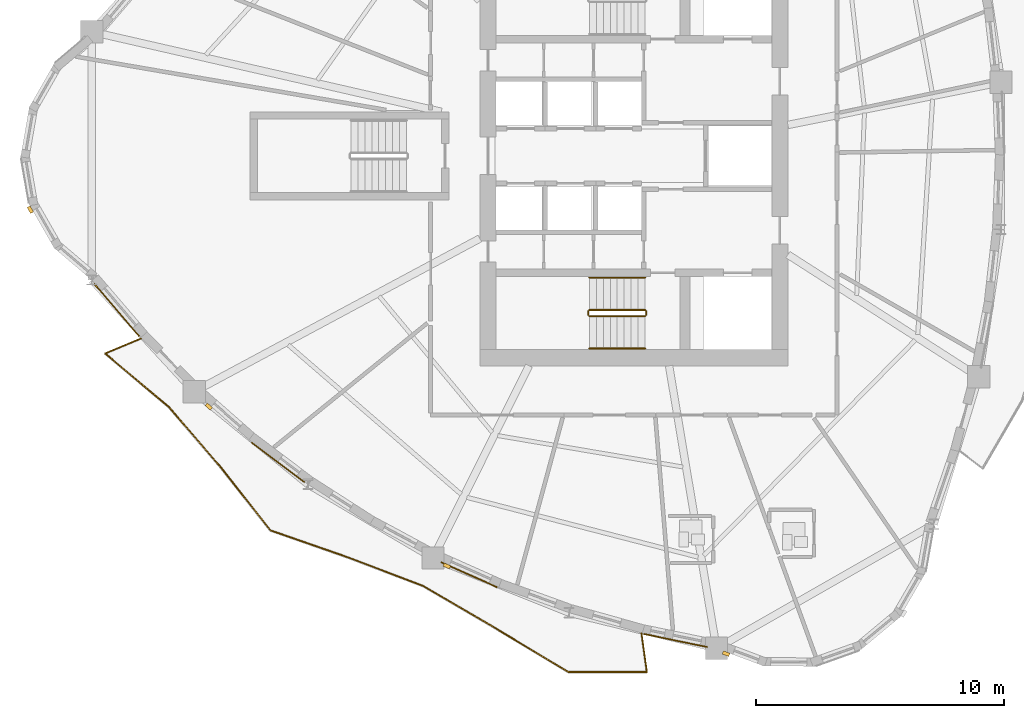
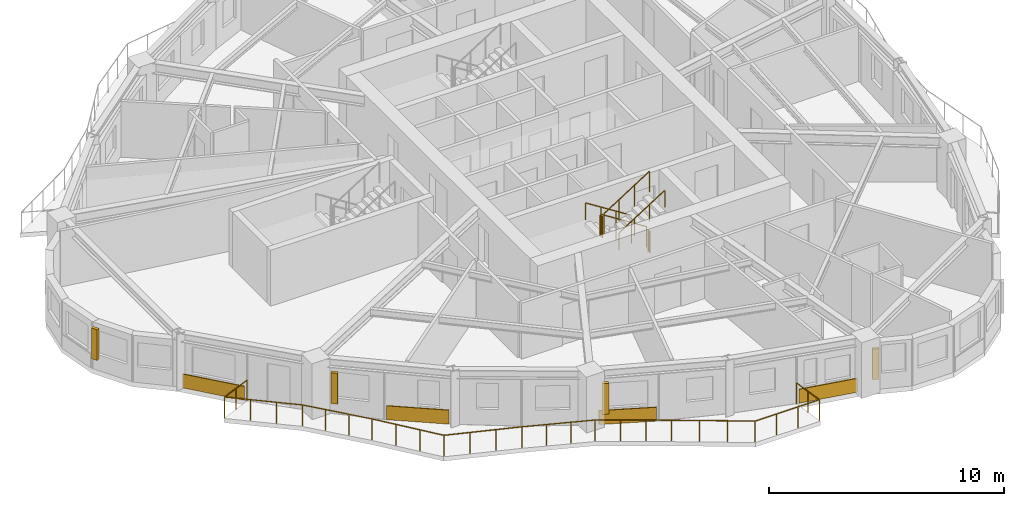
# One storey, part 9 of 12: 7 railings, 4 coverings, 4 shading devices.
"""IFC4 building model written with IfcOpenShell, lengths in metres."""

from ifc_helpers import new_model, si_unit, direction, frame, origin, origin_2d, place, context, subcontext, project, spatial, rectangle, circle, extrude, source, transform, mapped, material, layer, layer_set, type_object, element, save


model = new_model("IFC4")

# Units and contexts
model_context = context("Model", 3, precision=1e-05, world=origin(), true_north=direction((0.0, 1.0)))
body_context = subcontext(model_context, "Body", "Model", "MODEL_VIEW")
ifc_project = project(units=[si_unit("LENGTHUNIT", "METRE"), si_unit("AREAUNIT", "SQUARE_METRE"), si_unit("VOLUMEUNIT", "CUBIC_METRE"), si_unit("PLANEANGLEUNIT", "RADIAN"), si_unit("MASSUNIT", "GRAM", prefix="KILO")], contexts=[model_context])

# Site, building, storey
site_placement = place(None, origin())
site = spatial("IfcSite", under=ifc_project, at=site_placement, CompositionType="ELEMENT")
building_placement = place(site_placement, origin())
building = spatial("IfcBuilding", under=site, at=building_placement, Name="Qafzar Sky-Pleat Residences", CompositionType="ELEMENT")
storey_placement = place(building_placement, frame((0.0, 0.0, 124.800048828125)))
storey = spatial("IfcBuildingStorey", under=building, at=storey_placement, Name="L37", CompositionType="ELEMENT", Elevation=124.800048828125)

# Shading devices
ifc_material_1 = material(Name="Honed Riyadh limestone solar fin", Category="masonry")
ifc_layer_1 = layer(ifc_material_1, 0.139892578125)
ifc_layer_set_1 = layer_set([ifc_layer_1], Name="Honed Riyadh limestone solar fin")
shading_device_type = type_object("IfcShadingDeviceType", Name="SHD-FIN-STONE", PredefinedType="SHUTTER", material=ifc_layer_set_1)
shared_shape_1 = source(origin(), body_context, "Body", "SweptSolid", [
    extrude(rectangle(XDim=0.139892578125, YDim=0.280029296875, at=origin_2d()), origin(), (0.0, 0.0, 1.0), 1.60009765625),
])
for number, where, z_axis, x_axis, name in (
    (1, (6.057861328125, 23.832763671875, 0.599853515625), (0.0, 0.0, 1.0), (-0.86830785133, -0.4960256801, 0.0), "L37 Limestone Solar Fin 5"),
    (2, (13.2412109375, 15.90966796875, 0.599853515625), (0.0, 0.0, 1.0), (-0.659785415197, -0.751454061066, 0.0), "L37 Limestone Solar Fin 9"),
    (3, (22.826171875, 9.492431640625, 0.599853515625), (0.0, 0.0, 1.0), (-0.407076106401, -0.913394243247, 0.0), "L37 Limestone Solar Fin 13"),
    (4, (34.06201171875, 5.962890625, 0.599853515625), (0.0, 0.0, 1.0), (-0.349925962996, -0.936777359046, 0.0), "L37 Limestone Solar Fin 17"),
):
    element("IfcShadingDevice", number, at=place(storey_placement, frame(where, z_axis=z_axis, x_axis=x_axis)), inside=storey, type_object=shading_device_type, Name=name, PredefinedType="SHUTTER", context=body_context, shape_type="MappedRepresentation", body=[
        mapped(shared_shape_1, transform((0.0, 0.0, 0.0), x_axis=(1.0, 0.0, 0.0), y_axis=(0.0, 1.0, 0.0), z_axis=(0.0, 0.0, 1.0), scale=1.0)),
    ])

# Coverings
ifc_material_2 = material(Name="Honed Riyadh Tuwaiq limestone cladding", Category="masonry")
ifc_layer_2 = layer(ifc_material_2, 0.044921875)
ifc_layer_set_2 = layer_set([ifc_layer_2], Name="Honed Riyadh Tuwaiq limestone cladding")
covering_type = type_object("IfcCoveringType", Name="COV-CLAD-STONE", PredefinedType="CLADDING", material=ifc_layer_set_2)
shared_shape_2 = source(origin(), body_context, "Body", "SweptSolid", [
    extrude(rectangle(XDim=2.79296875, YDim=0.044921875, at=origin_2d()), origin(), (0.0, 0.0, 1.0), 0.719970703125),
])
covering_1_placement = place(storey_placement, frame((9.53466796875, 19.796142578125, 0.02001953125), z_axis=(0.0, 0.0, 1.0), x_axis=(0.650722374464, -0.75931573892, 0.0)))
element("IfcCovering", 5, at=covering_1_placement, inside=storey, type_object=covering_type, Name="L37 Riyadh Limestone Spandrel Cladding 7", PredefinedType="CLADDING", context=body_context, shape_type="MappedRepresentation", body=[
    mapped(shared_shape_2, transform((0.0, 0.0, 0.0), x_axis=(1.0, 0.0, 0.0), y_axis=(0.0, 1.0, 0.0), z_axis=(0.0, 0.0, 1.0), scale=1.0)),
])
shared_shape_3 = source(origin(), body_context, "Body", "SweptSolid", [
    extrude(rectangle(XDim=2.66064453125, YDim=0.044921875, at=origin_2d()), origin(), (0.0, 0.0, 1.0), 0.719970703125),
])
covering_2_placement = place(storey_placement, frame((16.0263671875, 13.663818359375, 0.02001953125), z_axis=(0.0, 0.0, 1.0), x_axis=(0.798349004967, -0.602195040056, 0.0)))
element("IfcCovering", 6, at=covering_2_placement, inside=storey, type_object=covering_type, Name="L37 Riyadh Limestone Spandrel Cladding 10", PredefinedType="CLADDING", context=body_context, shape_type="MappedRepresentation", body=[
    mapped(shared_shape_3, transform((0.0, 0.0, 0.0), x_axis=(1.0, 0.0, 0.0), y_axis=(0.0, 1.0, 0.0), z_axis=(0.0, 0.0, 1.0), scale=1.0)),
])
shared_shape_4 = source(origin(), body_context, "Body", "SweptSolid", [
    extrude(rectangle(XDim=2.4716796875, YDim=0.044921875, at=origin_2d()), origin(), (0.0, 0.0, 1.0), 0.719970703125),
])
covering_3_placement = place(storey_placement, frame((23.720458984375, 9.14111328125, 0.02001953125), z_axis=(0.0, 0.0, 1.0), x_axis=(0.913398138827, -0.407067365417, 0.0)))
element("IfcCovering", 7, at=covering_3_placement, inside=storey, type_object=covering_type, Name="L37 Riyadh Limestone Spandrel Cladding 13", PredefinedType="CLADDING", context=body_context, shape_type="MappedRepresentation", body=[
    mapped(shared_shape_4, transform((0.0, 0.0, 0.0), x_axis=(1.0, 0.0, 0.0), y_axis=(0.0, 1.0, 0.0), z_axis=(0.0, 0.0, 1.0), scale=1.0)),
])
shared_shape_5 = source(origin(), body_context, "Body", "SweptSolid", [
    extrude(rectangle(XDim=2.60400390625, YDim=0.044921875, at=origin_2d()), origin(), (0.0, 0.0, 1.0), 0.719970703125),
])
covering_4_placement = place(storey_placement, frame((32.030029296875, 6.4931640625, 0.02001953125), z_axis=(0.0, 0.0, 1.0), x_axis=(0.979418074611, -0.201842104442, 0.0)))
element("IfcCovering", 8, at=covering_4_placement, inside=storey, type_object=covering_type, Name="L37 Riyadh Limestone Spandrel Cladding 16", PredefinedType="CLADDING", context=body_context, shape_type="MappedRepresentation", body=[
    mapped(shared_shape_5, transform((0.0, 0.0, 0.0), x_axis=(1.0, 0.0, 0.0), y_axis=(0.0, 1.0, 0.0), z_axis=(0.0, 0.0, 1.0), scale=1.0)),
])

# Railings
ifc_material_3 = material(Name="Laminated glass and bronze steel balustrade", Category="steel")
railing_type_1 = type_object("IfcRailingType", Name="RAIL-BAL-1100", PredefinedType="BALUSTRADE", material=ifc_material_3)
shared_shape_6 = source(origin(), body_context, "Body", "SweptSolid", [
    extrude(circle(Radius=0.02392578125, at=origin_2d()), frame((0.0, 0.0, 1.076171875), z_axis=(-0.921859445808, -0.387524402039, 0.0), x_axis=(0.387524402039, -0.921859445808, 0.0)), (0.0, 0.0, 1.0), 1.578125),
    extrude(circle(Radius=0.02392578125, at=origin_2d()), frame((-1.454833984375, -0.611572265625, 1.076171875), z_axis=(0.765810733423, -0.643066031271, 0.0), x_axis=(0.643066031271, 0.765810733423, 0.0)), (0.0, 0.0, 1.0), 3.361328125),
    extrude(circle(Radius=0.02392578125, at=origin_2d()), frame((1.119384765625, -2.773193359375, 1.076171875), z_axis=(0.6520902188, -0.758141376358, 0.0), x_axis=(0.758141376358, 0.6520902188, 0.0)), (0.0, 0.0, 1.0), 3.14013671875),
    extrude(circle(Radius=0.02392578125, at=origin_2d()), frame((3.1669921875, -5.15380859375, 1.076171875), z_axis=(0.619603298541, -0.784915124352, 0.0), x_axis=(0.784915124352, 0.619603298541, 0.0)), (0.0, 0.0, 1.0), 3.282958984375),
    extrude(circle(Radius=0.02392578125, at=origin_2d()), frame((5.201171875, -7.730712890625, 1.076171875), z_axis=(0.944286935064, -0.329123357219, 0.0), x_axis=(0.329123357219, 0.944286935064, 0.0)), (0.0, 0.0, 1.0), 3.37744140625),
    extrude(circle(Radius=0.02392578125, at=origin_2d()), frame((8.390380859375, -8.84228515625, 1.076171875), z_axis=(0.934756882353, -0.355288011189, 0.0), x_axis=(0.355288011189, 0.934756882353, 0.0)), (0.0, 0.0, 1.0), 3.158203125),
    extrude(circle(Radius=0.02392578125, at=origin_2d()), frame((11.342529296875, -9.96435546875, 1.076171875), z_axis=(0.863282697097, -0.504720699886, 0.0), x_axis=(0.504720699886, 0.863282697097, 0.0)), (0.0, 0.0, 1.0), 3.25048828125),
    extrude(circle(Radius=0.02392578125, at=origin_2d()), frame((14.148681640625, -11.60498046875, 1.076171875), z_axis=(0.856793546701, -0.515659595403, 0.0), x_axis=(0.515659595403, 0.856793546701, 0.0)), (0.0, 0.0, 1.0), 3.546142578125),
    extrude(circle(Radius=0.02392578125, at=origin_2d()), frame((17.18701171875, -13.43359375, 1.076171875), z_axis=(0.999999952252, 0.000309023471, 0.0), x_axis=(-0.000309023471, 0.999999952252, 0.0)), (0.0, 0.0, 1.0), 3.16015625),
    extrude(circle(Radius=0.02392578125, at=origin_2d()), frame((20.34716796875, -13.4326171875, 1.076171875), z_axis=(-0.136914851748, 0.990582820046, 0.0), x_axis=(-0.990582820046, -0.136914851748, 0.0)), (0.0, 0.0, 1.0), 1.578125),
    extrude(circle(Radius=0.02099609375, at=origin_2d()), origin(), (0.0, 0.0, 1.0), 1.052001953125),
    extrude(circle(Radius=0.02099609375, at=origin_2d()), frame((-0.7275390625, -0.3056640625, 0.0)), (0.0, 0.0, 1.0), 1.052001953125),
    extrude(circle(Radius=0.02099609375, at=origin_2d()), frame((-1.454833984375, -0.611572265625, 0.0)), (0.0, 0.0, 1.0), 1.052001953125),
    extrude(circle(Radius=0.02099609375, at=origin_2d()), frame((-0.5966796875, -1.33203125, 0.0)), (0.0, 0.0, 1.0), 1.052001953125),
    extrude(circle(Radius=0.02099609375, at=origin_2d()), frame((0.26123046875, -2.052734375, 0.0)), (0.0, 0.0, 1.0), 1.052001953125),
    extrude(circle(Radius=0.02099609375, at=origin_2d()), frame((1.119384765625, -2.773193359375, 0.0)), (0.0, 0.0, 1.0), 1.052001953125),
    extrude(circle(Radius=0.02099609375, at=origin_2d()), frame((1.802001953125, -3.566650390625, 0.0)), (0.0, 0.0, 1.0), 1.052001953125),
    extrude(circle(Radius=0.02099609375, at=origin_2d()), frame((2.484375, -4.3603515625, 0.0)), (0.0, 0.0, 1.0), 1.052001953125),
    extrude(circle(Radius=0.02099609375, at=origin_2d()), frame((3.1669921875, -5.15380859375, 0.0)), (0.0, 0.0, 1.0), 1.052001953125),
    extrude(circle(Radius=0.02099609375, at=origin_2d()), frame((3.844970703125, -6.0126953125, 0.0)), (0.0, 0.0, 1.0), 1.052001953125),
    extrude(circle(Radius=0.02099609375, at=origin_2d()), frame((4.523193359375, -6.871826171875, 0.0)), (0.0, 0.0, 1.0), 1.052001953125),
    extrude(circle(Radius=0.02099609375, at=origin_2d()), frame((5.201171875, -7.730712890625, 0.0)), (0.0, 0.0, 1.0), 1.052001953125),
    extrude(circle(Radius=0.02099609375, at=origin_2d()), frame((6.26416015625, -8.101318359375, 0.0)), (0.0, 0.0, 1.0), 1.052001953125),
    extrude(circle(Radius=0.02099609375, at=origin_2d()), frame((7.327392578125, -8.4716796875, 0.0)), (0.0, 0.0, 1.0), 1.052001953125),
    extrude(circle(Radius=0.02099609375, at=origin_2d()), frame((8.390380859375, -8.84228515625, 0.0)), (0.0, 0.0, 1.0), 1.052001953125),
    extrude(circle(Radius=0.02099609375, at=origin_2d()), frame((9.37451171875, -9.21630859375, 0.0)), (0.0, 0.0, 1.0), 1.052001953125),
    extrude(circle(Radius=0.02099609375, at=origin_2d()), frame((10.3583984375, -9.59033203125, 0.0)), (0.0, 0.0, 1.0), 1.052001953125),
    extrude(circle(Radius=0.02099609375, at=origin_2d()), frame((11.342529296875, -9.96435546875, 0.0)), (0.0, 0.0, 1.0), 1.052001953125),
    extrude(circle(Radius=0.02099609375, at=origin_2d()), frame((12.27783203125, -10.51123046875, 0.0)), (0.0, 0.0, 1.0), 1.052001953125),
    extrude(circle(Radius=0.02099609375, at=origin_2d()), frame((13.21337890625, -11.05810546875, 0.0)), (0.0, 0.0, 1.0), 1.052001953125),
    extrude(circle(Radius=0.02099609375, at=origin_2d()), frame((14.148681640625, -11.60498046875, 0.0)), (0.0, 0.0, 1.0), 1.052001953125),
    extrude(circle(Radius=0.02099609375, at=origin_2d()), frame((15.161376953125, -12.214599609375, 0.0)), (0.0, 0.0, 1.0), 1.052001953125),
    extrude(circle(Radius=0.02099609375, at=origin_2d()), frame((16.17431640625, -12.823974609375, 0.0)), (0.0, 0.0, 1.0), 1.052001953125),
    extrude(circle(Radius=0.02099609375, at=origin_2d()), frame((17.18701171875, -13.43359375, 0.0)), (0.0, 0.0, 1.0), 1.052001953125),
    extrude(circle(Radius=0.02099609375, at=origin_2d()), frame((18.240478515625, -13.433349609375, 0.0)), (0.0, 0.0, 1.0), 1.052001953125),
    extrude(circle(Radius=0.02099609375, at=origin_2d()), frame((19.293701171875, -13.432861328125, 0.0)), (0.0, 0.0, 1.0), 1.052001953125),
    extrude(circle(Radius=0.02099609375, at=origin_2d()), frame((20.34716796875, -13.4326171875, 0.0)), (0.0, 0.0, 1.0), 1.052001953125),
    extrude(circle(Radius=0.02099609375, at=origin_2d()), frame((20.2392578125, -12.65087890625, 0.0)), (0.0, 0.0, 1.0), 1.052001953125),
    extrude(circle(Radius=0.02099609375, at=origin_2d()), frame((20.131103515625, -11.869384765625, 0.0)), (0.0, 0.0, 1.0), 1.052001953125),
])
railing_1_placement = place(storey_placement, frame((10.525390625, 18.656494140625, 0.0)))
element("IfcRailing", 9, at=railing_1_placement, inside=storey, type_object=railing_type_1, Name="L37 Pleated Balcony 3 Balustrade", PredefinedType="BALUSTRADE", context=body_context, shape_type="MappedRepresentation", body=[
    mapped(shared_shape_6, transform((0.0, 0.0, 0.0), x_axis=(1.0, 0.0, 0.0), y_axis=(0.0, 1.0, 0.0), z_axis=(0.0, 0.0, 1.0), scale=1.0)),
])
ifc_material_4 = material(Name="Painted Steel S355 stair guardrail", Category="steel")
railing_type_2 = type_object("IfcRailingType", Name="RAIL-STAIR-GUARD", PredefinedType="GUARDRAIL", material=ifc_material_4)
shared_shape_7 = source(origin(), body_context, "Body", "SweptSolid", [
    extrude(circle(Radius=0.02392578125, at=origin_2d()), frame((0.0, 0.0, 1.076171875), z_axis=(0.0, -1.0, 0.0), x_axis=(1.0, 0.0, 0.0)), (0.0, 0.0, 1.0), 0.14990234375),
    extrude(circle(Radius=0.02099609375, at=origin_2d()), origin(), (0.0, 0.0, 1.0), 1.052001953125),
    extrude(circle(Radius=0.02099609375, at=origin_2d()), frame((0.0, -0.14990234375, 0.0)), (0.0, 0.0, 1.0), 1.052001953125),
])
for number, where, name in (
    (10, (28.510009765625, 19.75, 1.599853515625), "L37 ST1 stair guard 2"),
    (11, (30.85009765625, 19.75, 0.0), "L37 ST1 stair guard 4"),
):
    element("IfcRailing", number, at=place(storey_placement, frame(where)), inside=storey, type_object=railing_type_2, Name=name, PredefinedType="GUARDRAIL", context=body_context, shape_type="MappedRepresentation", body=[
        mapped(shared_shape_7, transform((0.0, 0.0, 0.0), x_axis=(1.0, 0.0, 0.0), y_axis=(0.0, 1.0, 0.0), z_axis=(0.0, 0.0, 1.0), scale=1.0)),
    ])
shared_shape_8 = source(origin(), body_context, "Body", "SweptSolid", [
    extrude(circle(Radius=0.02392578125, at=origin_2d()), frame((0.0, 0.0, 1.076171875), z_axis=(-0.8442293374, 0.0, 0.53598211339), x_axis=(0.0, -1.0, 0.0)), (0.0, 0.0, 1.0), 2.6533203125),
    extrude(circle(Radius=0.02099609375, at=origin_2d()), origin(), (0.0, 0.0, 1.0), 1.052001953125),
    extrude(circle(Radius=0.02099609375, at=origin_2d()), frame((-0.74658203125, 0.0, 0.47412109375)), (0.0, 0.0, 1.0), 1.052001953125),
    extrude(circle(Radius=0.02099609375, at=origin_2d()), frame((-1.493408203125, 0.0, 0.947998046875)), (0.0, 0.0, 1.0), 1.052001953125),
    extrude(circle(Radius=0.02099609375, at=origin_2d()), frame((-2.239990234375, 0.0, 1.422119140625)), (0.0, 0.0, 1.0), 1.052001953125),
])
railing_2_placement = place(storey_placement, frame((30.800048828125, 19.800048828125, 0.177734375)))
element("IfcRailing", 12, at=railing_2_placement, inside=storey, type_object=railing_type_2, Name="L37 ST1 stair guard 1", PredefinedType="GUARDRAIL", context=body_context, shape_type="MappedRepresentation", body=[
    mapped(shared_shape_8, transform((0.0, 0.0, 0.0), x_axis=(1.0, 0.0, 0.0), y_axis=(0.0, 1.0, 0.0), z_axis=(0.0, 0.0, 1.0), scale=1.0)),
])
shared_shape_9 = source(origin(), body_context, "Body", "SweptSolid", [
    extrude(circle(Radius=0.02392578125, at=origin_2d()), frame((0.0, 0.0, 1.076171875), z_axis=(0.8442293374, 0.0, 0.53598211339), x_axis=(0.0, 1.0, 0.0)), (0.0, 0.0, 1.0), 2.6533203125),
    extrude(circle(Radius=0.02099609375, at=origin_2d()), origin(), (0.0, 0.0, 1.0), 1.052001953125),
    extrude(circle(Radius=0.02099609375, at=origin_2d()), frame((0.74658203125, 0.0, 0.47412109375)), (0.0, 0.0, 1.0), 1.052001953125),
    extrude(circle(Radius=0.02099609375, at=origin_2d()), frame((1.493408203125, 0.0, 0.947998046875)), (0.0, 0.0, 1.0), 1.052001953125),
    extrude(circle(Radius=0.02099609375, at=origin_2d()), frame((2.239990234375, 0.0, 1.422119140625)), (0.0, 0.0, 1.0), 1.052001953125),
])
railing_3_placement = place(storey_placement, frame((28.56005859375, 19.550048828125, 1.77783203125)))
element("IfcRailing", 13, at=railing_3_placement, inside=storey, type_object=railing_type_2, Name="L37 ST1 stair guard 3", PredefinedType="GUARDRAIL", context=body_context, shape_type="MappedRepresentation", body=[
    mapped(shared_shape_9, transform((0.0, 0.0, 0.0), x_axis=(1.0, 0.0, 0.0), y_axis=(0.0, 1.0, 0.0), z_axis=(0.0, 0.0, 1.0), scale=1.0)),
])
ifc_material_5 = material(Name="Brushed stainless steel handrail", Category="steel")
railing_type_3 = type_object("IfcRailingType", Name="RAIL-STAIR-HAND", PredefinedType="HANDRAIL", material=ifc_material_5)
shared_shape_10 = source(origin(), body_context, "Body", "SweptSolid", [
    extrude(circle(Radius=0.02392578125, at=origin_2d()), frame((0.0, 0.0, 0.8759765625), z_axis=(-0.8442293374, 0.0, 0.53598211339), x_axis=(0.0, -1.0, 0.0)), (0.0, 0.0, 1.0), 2.6533203125),
    extrude(circle(Radius=0.02099609375, at=origin_2d()), origin(), (0.0, 0.0, 1.0), 0.851806640625),
    extrude(circle(Radius=0.02099609375, at=origin_2d()), frame((-0.74658203125, 0.0, 0.47412109375)), (0.0, 0.0, 1.0), 0.851806640625),
    extrude(circle(Radius=0.02099609375, at=origin_2d()), frame((-1.493408203125, 0.0, 0.947998046875)), (0.0, 0.0, 1.0), 0.851806640625),
    extrude(circle(Radius=0.02099609375, at=origin_2d()), frame((-2.239990234375, 0.0, 1.422119140625)), (0.0, 0.0, 1.0), 0.851806640625),
])
railing_4_placement = place(storey_placement, frame((30.800048828125, 21.10009765625, 0.177734375)))
element("IfcRailing", 14, at=railing_4_placement, inside=storey, type_object=railing_type_3, Name="L37 ST1 stair handrail 1", PredefinedType="HANDRAIL", context=body_context, shape_type="MappedRepresentation", body=[
    mapped(shared_shape_10, transform((0.0, 0.0, 0.0), x_axis=(1.0, 0.0, 0.0), y_axis=(0.0, 1.0, 0.0), z_axis=(0.0, 0.0, 1.0), scale=1.0)),
])
shared_shape_11 = source(origin(), body_context, "Body", "SweptSolid", [
    extrude(circle(Radius=0.02392578125, at=origin_2d()), frame((0.0, 0.0, 0.8759765625), z_axis=(0.8442293374, 0.0, 0.53598211339), x_axis=(0.0, 1.0, 0.0)), (0.0, 0.0, 1.0), 2.6533203125),
    extrude(circle(Radius=0.02099609375, at=origin_2d()), origin(), (0.0, 0.0, 1.0), 0.851806640625),
    extrude(circle(Radius=0.02099609375, at=origin_2d()), frame((0.74658203125, 0.0, 0.47412109375)), (0.0, 0.0, 1.0), 0.851806640625),
    extrude(circle(Radius=0.02099609375, at=origin_2d()), frame((1.493408203125, 0.0, 0.947998046875)), (0.0, 0.0, 1.0), 0.851806640625),
    extrude(circle(Radius=0.02099609375, at=origin_2d()), frame((2.239990234375, 0.0, 1.422119140625)), (0.0, 0.0, 1.0), 0.851806640625),
])
railing_5_placement = place(storey_placement, frame((28.56005859375, 18.25, 1.77783203125)))
element("IfcRailing", 15, at=railing_5_placement, inside=storey, type_object=railing_type_3, Name="L37 ST1 stair handrail 2", PredefinedType="HANDRAIL", context=body_context, shape_type="MappedRepresentation", body=[
    mapped(shared_shape_11, transform((0.0, 0.0, 0.0), x_axis=(1.0, 0.0, 0.0), y_axis=(0.0, 1.0, 0.0), z_axis=(0.0, 0.0, 1.0), scale=1.0)),
])

save(model, "model.ifc")
